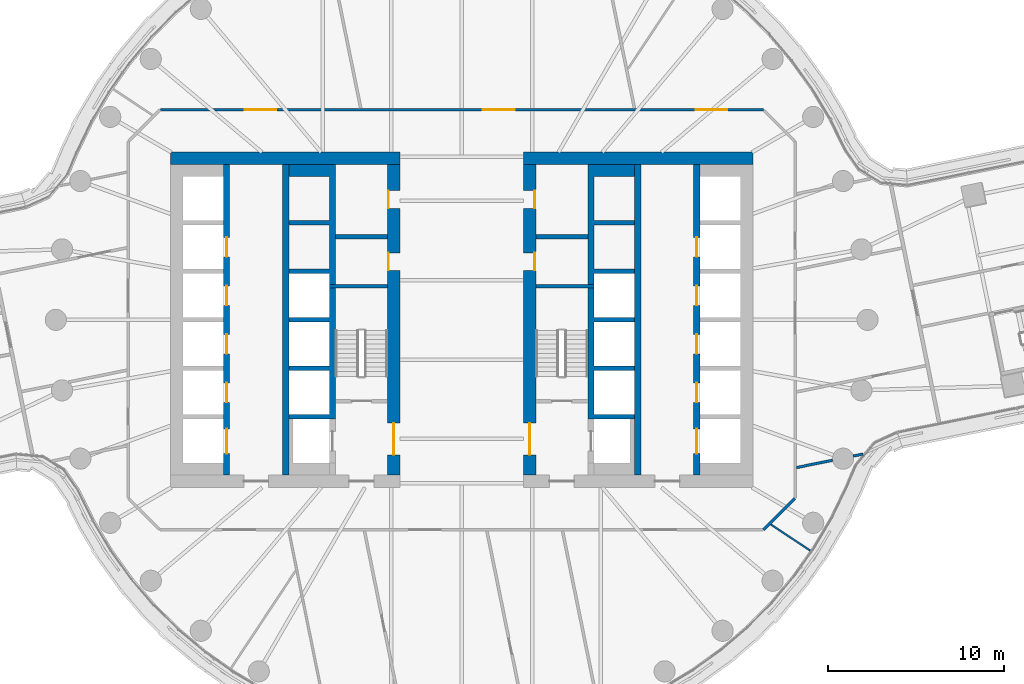
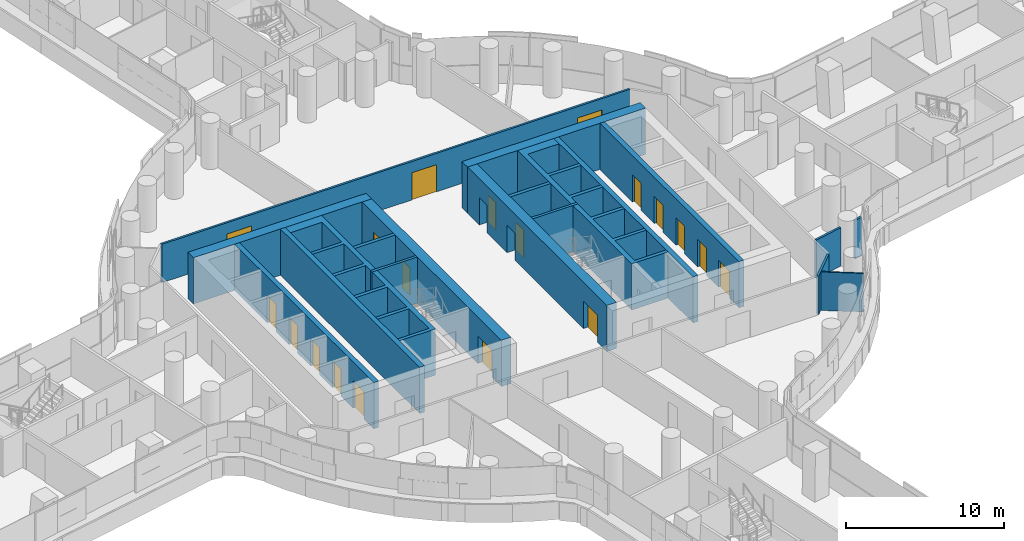
# One storey, part 20 of 31: 19 doors, 19 walls, 19 openings.
"""IFC4 building model written with IfcOpenShell, lengths in metres."""

from ifc_helpers import new_model, si_unit, direction, frame, frame_2d, origin, place, context, subcontext, project, spatial, polyline, rectangle, outline, extrude, material, layer, layer_set, type_object, element, fill, save


model = new_model("IFC4")

# Units and contexts
model_context = context("Model", 3, precision=1e-05, world=origin(), true_north=direction((0.0, 1.0)))
body_context = subcontext(model_context, "Body", "Model", "MODEL_VIEW")
ifc_project = project(units=[si_unit("LENGTHUNIT", "METRE"), si_unit("AREAUNIT", "SQUARE_METRE"), si_unit("VOLUMEUNIT", "CUBIC_METRE"), si_unit("PLANEANGLEUNIT", "RADIAN"), si_unit("MASSUNIT", "GRAM", prefix="KILO")], contexts=[model_context])

# Site, building, storey
site_placement = place(None, origin())
site = spatial("IfcSite", under=ifc_project, at=site_placement, CompositionType="ELEMENT")
building_placement = place(site_placement, origin())
building = spatial("IfcBuilding", under=site, at=building_placement, Name="Tamarind Cross Interchange Tower", CompositionType="ELEMENT")
storey_placement = place(building_placement, frame((0.0, 0.0, 75.25)))
storey = spatial("IfcBuildingStorey", under=building, at=storey_placement, Name="L17", CompositionType="ELEMENT", Elevation=75.25)

# Wall
ifc_material_1 = material(Name="Concrete C80", Category="concrete")
ifc_layer_1 = layer(ifc_material_1, 0.699951171875)
ifc_layer_set_1 = layer_set([ifc_layer_1], Name="Concrete C80")
wall_type_1 = type_object("IfcWallType", Name="Core wall 700 mm Concrete C80", PredefinedType="SHEAR", material=ifc_layer_set_1)
wall_1_placement = place(storey_placement, frame((-16.5, 9.14990234375, 0.0), z_axis=(0.0, 0.0, 1.0), x_axis=(1.0, 0.0, 0.0)))
element("IfcWall", 1, at=wall_1_placement, inside=storey, type_object=wall_type_1, Name="Core wall CWL-L17-W-NE", PredefinedType="SHEAR", context=body_context, shape_type="SweptSolid", body=[
    extrude(rectangle(XDim=13.0, YDim=0.699951171875, at=frame_2d((6.5, 0.0))), origin(), (0.0, 0.0, 1.0), 3.570068359375),
])

# Wall, openings, doors
wall_2_placement = place(storey_placement, frame((-3.85009765625, -8.800048828125, 0.0), z_axis=(0.0, 0.0, 1.0), x_axis=(0.0, 1.0, 0.0)))
wall_2 = element("IfcWall", 2, at=wall_2_placement, inside=storey, type_object=wall_type_1, Name="Core wall CWL-L17-W-IN", PredefinedType="SHEAR", context=body_context, shape_type="SweptSolid", body=[
    extrude(rectangle(XDim=17.60009765625, YDim=0.699951171875, at=frame_2d((8.800048828125, 0.0))), origin(), (0.0, 0.0, 1.0), 3.570068359375),
])
opening_1_placement = place(wall_2_placement, frame((1.14990234375, 0.0, 0.0)))
opening_1 = element("IfcOpeningElement", 3, at=opening_1_placement, cuts=wall_2, Name="Opening DCW4", PredefinedType="OPENING", context=body_context, shape_type="SweptSolid", body=[
    extrude(rectangle(XDim=1.800048828125, YDim=2.10009765625, at=frame_2d((0.89990234375, 1.050048828125))), frame((0.0, 0.35986328125, 0.0), z_axis=(0.0, -1.0, 0.0), x_axis=(1.0, 0.0, 0.0)), (0.0, 0.0, 1.0), 0.719970703125),
])
opening_2_placement = place(wall_2_placement, frame((11.597412109375, 0.0, 0.0)))
opening_2 = element("IfcOpeningElement", 4, at=opening_2_placement, cuts=wall_2, Name="Opening DCW5", PredefinedType="OPENING", context=body_context, shape_type="SweptSolid", body=[
    extrude(rectangle(XDim=1.0, YDim=2.10009765625, at=frame_2d((0.5, 1.050048828125))), frame((0.0, 0.35986328125, 0.0), z_axis=(0.0, -1.0, 0.0), x_axis=(1.0, 0.0, 0.0)), (0.0, 0.0, 1.0), 0.719970703125),
])
opening_3_placement = place(wall_2_placement, frame((15.12255859375, 0.0, 0.0)))
opening_3 = element("IfcOpeningElement", 5, at=opening_3_placement, cuts=wall_2, Name="Opening DCW5", PredefinedType="OPENING", context=body_context, shape_type="SweptSolid", body=[
    extrude(rectangle(XDim=1.0, YDim=2.10009765625, at=frame_2d((0.5, 1.050048828125))), frame((0.0, 0.35986328125, 0.0), z_axis=(0.0, -1.0, 0.0), x_axis=(1.0, 0.0, 0.0)), (0.0, 0.0, 1.0), 0.719970703125),
])
ifc_material_2 = material(Name="Steel, fire-resisting", Category="steel")
door_type_1 = type_object("IfcDoorType", Name="Core fire door 1000 x 2100 FD90", OperationType="SINGLE_SWING_LEFT", PredefinedType="DOOR", material=ifc_material_2)
door_1_placement = place(opening_2_placement, origin())
door_1 = element("IfcDoor", 6, at=door_1_placement, inside=storey, type_object=door_type_1, Name="L17 comms room door", OperationType="SINGLE_SWING_LEFT", OverallHeight=2.10009765625, OverallWidth=1.0, PredefinedType="DOOR", context=body_context, shape_type="SweptSolid", body=[
    extrude(rectangle(XDim=1.0, YDim=2.10009765625, at=frame_2d((0.5, 1.050048828125))), frame((0.0, 0.3251953125, 0.0), z_axis=(0.0, -1.0, 0.0), x_axis=(1.0, 0.0, 0.0)), (0.0, 0.0, 1.0), 0.050048828125),
])
fill(opening_2, door_1)
door_2_placement = place(opening_3_placement, origin())
door_2 = element("IfcDoor", 7, at=door_2_placement, inside=storey, type_object=door_type_1, Name="L17 cleaner's store door", OperationType="SINGLE_SWING_LEFT", OverallHeight=2.10009765625, OverallWidth=1.0, PredefinedType="DOOR", context=body_context, shape_type="SweptSolid", body=[
    extrude(rectangle(XDim=1.0, YDim=2.10009765625, at=frame_2d((0.5, 1.050048828125))), frame((0.0, 0.3251953125, 0.0), z_axis=(0.0, -1.0, 0.0), x_axis=(1.0, 0.0, 0.0)), (0.0, 0.0, 1.0), 0.050048828125),
])
fill(opening_3, door_2)
door_type_2 = type_object("IfcDoorType", Name="Core fire door 1800 x 2100 FD90", OperationType="SINGLE_SWING_LEFT", PredefinedType="DOOR", material=ifc_material_2)
door_3_placement = place(opening_1_placement, origin())
door_3 = element("IfcDoor", 8, at=door_3_placement, inside=storey, type_object=door_type_2, Name="L17 firefighting lobby door", OperationType="SINGLE_SWING_LEFT", OverallHeight=2.10009765625, OverallWidth=1.800048828125, PredefinedType="DOOR", context=body_context, shape_type="SweptSolid", body=[
    extrude(rectangle(XDim=1.800048828125, YDim=2.10009765625, at=frame_2d((0.89990234375, 1.050048828125))), frame((0.0, 0.02490234375, 0.0), z_axis=(0.0, -1.0, 0.0), x_axis=(1.0, 0.0, 0.0)), (0.0, 0.0, 1.0), 0.050048828125),
])
fill(opening_1, door_3)

# Wall
wall_3_placement = place(storey_placement, frame((16.5, 9.14990234375, 0.0), z_axis=(0.0, 0.0, 1.0), x_axis=(-1.0, 0.0, 0.0)))
element("IfcWall", 9, at=wall_3_placement, inside=storey, type_object=wall_type_1, Name="Core wall CWL-L17-E-NE", PredefinedType="SHEAR", context=body_context, shape_type="SweptSolid", body=[
    extrude(rectangle(XDim=13.0, YDim=0.699951171875, at=frame_2d((6.5, 0.0))), origin(), (0.0, 0.0, 1.0), 3.570068359375),
])

# Wall, openings, doors
wall_4_placement = place(storey_placement, frame((3.85009765625, -8.800048828125, 0.0), z_axis=(0.0, 0.0, 1.0), x_axis=(0.0, 1.0, 0.0)))
wall_4 = element("IfcWall", 10, at=wall_4_placement, inside=storey, type_object=wall_type_1, Name="Core wall CWL-L17-E-IN", PredefinedType="SHEAR", context=body_context, shape_type="SweptSolid", body=[
    extrude(rectangle(XDim=17.60009765625, YDim=0.699951171875, at=frame_2d((8.800048828125, 0.0))), origin(), (0.0, 0.0, 1.0), 3.570068359375),
])
opening_4_placement = place(wall_4_placement, frame((1.14990234375, 0.0, 0.0)))
opening_4 = element("IfcOpeningElement", 11, at=opening_4_placement, cuts=wall_4, Name="Opening DCE4", PredefinedType="OPENING", context=body_context, shape_type="SweptSolid", body=[
    extrude(rectangle(XDim=1.800048828125, YDim=2.10009765625, at=frame_2d((0.89990234375, 1.050048828125))), frame((0.0, 0.35986328125, 0.0), z_axis=(0.0, -1.0, 0.0), x_axis=(1.0, 0.0, 0.0)), (0.0, 0.0, 1.0), 0.719970703125),
])
opening_5_placement = place(wall_4_placement, frame((11.597412109375, 0.0, 0.0)))
opening_5 = element("IfcOpeningElement", 12, at=opening_5_placement, cuts=wall_4, Name="Opening DCE5", PredefinedType="OPENING", context=body_context, shape_type="SweptSolid", body=[
    extrude(rectangle(XDim=1.0, YDim=2.10009765625, at=frame_2d((0.5, 1.050048828125))), frame((0.0, 0.35986328125, 0.0), z_axis=(0.0, -1.0, 0.0), x_axis=(1.0, 0.0, 0.0)), (0.0, 0.0, 1.0), 0.719970703125),
])
opening_6_placement = place(wall_4_placement, frame((15.12255859375, 0.0, 0.0)))
opening_6 = element("IfcOpeningElement", 13, at=opening_6_placement, cuts=wall_4, Name="Opening DCE5", PredefinedType="OPENING", context=body_context, shape_type="SweptSolid", body=[
    extrude(rectangle(XDim=1.0, YDim=2.10009765625, at=frame_2d((0.5, 1.050048828125))), frame((0.0, 0.35986328125, 0.0), z_axis=(0.0, -1.0, 0.0), x_axis=(1.0, 0.0, 0.0)), (0.0, 0.0, 1.0), 0.719970703125),
])
door_4_placement = place(opening_5_placement, origin())
door_4 = element("IfcDoor", 14, at=door_4_placement, inside=storey, type_object=door_type_1, Name="L17 comms room door", OperationType="SINGLE_SWING_LEFT", OverallHeight=2.10009765625, OverallWidth=1.0, PredefinedType="DOOR", context=body_context, shape_type="SweptSolid", body=[
    extrude(rectangle(XDim=1.0, YDim=2.10009765625, at=frame_2d((0.5, 1.050048828125))), frame((0.0, -0.27490234375, 0.0), z_axis=(0.0, -1.0, 0.0), x_axis=(1.0, 0.0, 0.0)), (0.0, 0.0, 1.0), 0.050048828125),
])
fill(opening_5, door_4)
door_5_placement = place(opening_6_placement, origin())
door_5 = element("IfcDoor", 15, at=door_5_placement, inside=storey, type_object=door_type_1, Name="L17 cleaner's store door", OperationType="SINGLE_SWING_LEFT", OverallHeight=2.10009765625, OverallWidth=1.0, PredefinedType="DOOR", context=body_context, shape_type="SweptSolid", body=[
    extrude(rectangle(XDim=1.0, YDim=2.10009765625, at=frame_2d((0.5, 1.050048828125))), frame((0.0, -0.27490234375, 0.0), z_axis=(0.0, -1.0, 0.0), x_axis=(1.0, 0.0, 0.0)), (0.0, 0.0, 1.0), 0.050048828125),
])
fill(opening_6, door_5)
door_6_placement = place(opening_4_placement, origin())
door_6 = element("IfcDoor", 16, at=door_6_placement, inside=storey, type_object=door_type_2, Name="L17 firefighting lobby door", OperationType="SINGLE_SWING_LEFT", OverallHeight=2.10009765625, OverallWidth=1.800048828125, PredefinedType="DOOR", context=body_context, shape_type="SweptSolid", body=[
    extrude(rectangle(XDim=1.800048828125, YDim=2.10009765625, at=frame_2d((0.89990234375, 1.050048828125))), frame((0.0, 0.02490234375, 0.0), z_axis=(0.0, -1.0, 0.0), x_axis=(1.0, 0.0, 0.0)), (0.0, 0.0, 1.0), 0.050048828125),
])
fill(opening_4, door_6)

# Walls
ifc_layer_2 = layer(ifc_material_1, 0.199951171875)
ifc_layer_set_2 = layer_set([ifc_layer_2], Name="Concrete C80")
wall_type_2 = type_object("IfcWallType", Name="Core web wall 200 mm Concrete C80", PredefinedType="SHEAR", material=ifc_layer_set_2)
for number, where, z_axis, x_axis, name in (
    (17, (-7.5, 1.89990234375, 0.0), (0.0, 0.0, 1.0), (1.0, 0.0, 0.0), "Core wall CWL-L17-W-BD"),
    (18, (7.5, 1.89990234375, 0.0), (0.0, 0.0, 1.0), (-1.0, 0.0, 0.0), "Core wall CWL-L17-E-BD"),
):
    element("IfcWall", number, at=place(storey_placement, frame(where, z_axis=z_axis, x_axis=x_axis)), inside=storey, type_object=wall_type_2, Name=name, PredefinedType="SHEAR", context=body_context, shape_type="SweptSolid", body=[
        extrude(rectangle(XDim=3.300048828125, YDim=0.199951171875, at=frame_2d((1.64990234375, 0.0))), origin(), (0.0, 0.0, 1.0), 3.570068359375),
    ])
ifc_layer_3 = layer(ifc_material_1, 0.35009765625)
ifc_layer_set_3 = layer_set([ifc_layer_3], Name="Concrete C80")
wall_type_3 = type_object("IfcWallType", Name="Core web wall 350 mm Concrete C80", PredefinedType="SHEAR", material=ifc_layer_set_3)
wall_5_placement = place(storey_placement, origin())
element("IfcWall", 19, at=wall_5_placement, inside=storey, type_object=wall_type_3, Name="Core wall CWL-L17-W-BN", PredefinedType="SHEAR", context=body_context, shape_type="SweptSolid", body=[
    extrude(outline(polyline([(-9.800048828125, -5.375), (-9.800048828125, -5.625), (-7.5, -5.625), (-7.14990234375, -5.625), (-7.14990234375, 8.800048828125), (-7.5, 8.800048828125), (-9.800048828125, 8.800048828125), (-9.800048828125, 8.125), (-7.5, 8.125), (-7.5, 5.625), (-9.800048828125, 5.625), (-9.800048828125, 5.375), (-7.5, 5.375), (-7.5, 2.875), (-9.800048828125, 2.875), (-9.800048828125, 2.625), (-7.5, 2.625), (-7.5, 0.125), (-9.800048828125, 0.125), (-9.800048828125, -0.125), (-7.5, -0.125), (-7.5, -2.625), (-9.800048828125, -2.625), (-9.800048828125, -2.875), (-7.5, -2.875), (-7.5, -5.375), (-9.800048828125, -5.375)])), origin(), (0.0, 0.0, 1.0), 3.570068359375),
])

# Wall, openings, doors
wall_6_placement = place(storey_placement, frame((-13.324951171875, -8.800048828125, 0.0), z_axis=(0.0, 0.0, 1.0), x_axis=(0.0, 1.0, 0.0)))
wall_6 = element("IfcWall", 20, at=wall_6_placement, inside=storey, type_object=wall_type_3, Name="Core wall CWL-L17-W-LA", PredefinedType="SHEAR", context=body_context, shape_type="SweptSolid", body=[
    extrude(rectangle(XDim=17.60009765625, YDim=0.35009765625, at=frame_2d((8.800048828125, 0.0))), origin(), (0.0, 0.0, 1.0), 3.570068359375),
])
opening_7_placement = place(wall_6_placement, frame((1.22509765625, 0.0, 0.0)))
opening_7 = element("IfcOpeningElement", 21, at=opening_7_placement, cuts=wall_6, Name="Opening LD1L17", PredefinedType="OPENING", context=body_context, shape_type="SweptSolid", body=[
    extrude(rectangle(XDim=1.39990234375, YDim=2.10009765625, at=frame_2d((0.699951171875, 1.050048828125))), frame((0.0, 0.18505859375, 0.0), z_axis=(0.0, -1.0, 0.0), x_axis=(1.0, 0.0, 0.0)), (0.0, 0.0, 1.0), 0.3701171875),
])
opening_8_placement = place(wall_6_placement, frame((4.125, 0.0, 0.0)))
opening_8 = element("IfcOpeningElement", 22, at=opening_8_placement, cuts=wall_6, Name="Opening LD2L17", PredefinedType="OPENING", context=body_context, shape_type="SweptSolid", body=[
    extrude(rectangle(XDim=1.10009765625, YDim=2.10009765625, at=frame_2d((0.550048828125, 1.050048828125))), frame((0.0, 0.18505859375, 0.0), z_axis=(0.0, -1.0, 0.0), x_axis=(1.0, 0.0, 0.0)), (0.0, 0.0, 1.0), 0.3701171875),
])
opening_9_placement = place(wall_6_placement, frame((6.875, 0.0, 0.0)))
opening_9 = element("IfcOpeningElement", 23, at=opening_9_placement, cuts=wall_6, Name="Opening LD3L17", PredefinedType="OPENING", context=body_context, shape_type="SweptSolid", body=[
    extrude(rectangle(XDim=1.10009765625, YDim=2.10009765625, at=frame_2d((0.550048828125, 1.050048828125))), frame((0.0, 0.18505859375, 0.0), z_axis=(0.0, -1.0, 0.0), x_axis=(1.0, 0.0, 0.0)), (0.0, 0.0, 1.0), 0.3701171875),
])
opening_10_placement = place(wall_6_placement, frame((9.625, 0.0, 0.0)))
opening_10 = element("IfcOpeningElement", 24, at=opening_10_placement, cuts=wall_6, Name="Opening LD4L17", PredefinedType="OPENING", context=body_context, shape_type="SweptSolid", body=[
    extrude(rectangle(XDim=1.10009765625, YDim=2.10009765625, at=frame_2d((0.550048828125, 1.050048828125))), frame((0.0, 0.18505859375, 0.0), z_axis=(0.0, -1.0, 0.0), x_axis=(1.0, 0.0, 0.0)), (0.0, 0.0, 1.0), 0.3701171875),
])
opening_11_placement = place(wall_6_placement, frame((12.375, 0.0, 0.0)))
opening_11 = element("IfcOpeningElement", 25, at=opening_11_placement, cuts=wall_6, Name="Opening LD5L17", PredefinedType="OPENING", context=body_context, shape_type="SweptSolid", body=[
    extrude(rectangle(XDim=1.10009765625, YDim=2.10009765625, at=frame_2d((0.550048828125, 1.050048828125))), frame((0.0, 0.18505859375, 0.0), z_axis=(0.0, -1.0, 0.0), x_axis=(1.0, 0.0, 0.0)), (0.0, 0.0, 1.0), 0.3701171875),
])
ifc_material_3 = material(Name="Stainless steel panel", Category="steel")
door_type_3 = type_object("IfcDoorType", Name="Lift landing door 1100 x 2100 E 120", OperationType="SLIDING_TO_LEFT", PredefinedType="DOOR", material=ifc_material_3)
door_7_placement = place(opening_8_placement, origin())
door_7 = element("IfcDoor", 26, at=door_7_placement, inside=storey, type_object=door_type_3, Name="L17 landing door LF2", OperationType="SLIDING_TO_LEFT", OverallHeight=2.10009765625, OverallWidth=1.10009765625, PredefinedType="DOOR", context=body_context, shape_type="SweptSolid", body=[
    extrude(rectangle(XDim=1.10009765625, YDim=2.10009765625, at=frame_2d((0.550048828125, 1.050048828125))), frame((0.0, 0.02490234375, 0.0), z_axis=(0.0, -1.0, 0.0), x_axis=(1.0, 0.0, 0.0)), (0.0, 0.0, 1.0), 0.050048828125),
])
fill(opening_8, door_7)
door_8_placement = place(opening_9_placement, origin())
door_8 = element("IfcDoor", 27, at=door_8_placement, inside=storey, type_object=door_type_3, Name="L17 landing door LF3", OperationType="SLIDING_TO_LEFT", OverallHeight=2.10009765625, OverallWidth=1.10009765625, PredefinedType="DOOR", context=body_context, shape_type="SweptSolid", body=[
    extrude(rectangle(XDim=1.10009765625, YDim=2.10009765625, at=frame_2d((0.550048828125, 1.050048828125))), frame((0.0, 0.02490234375, 0.0), z_axis=(0.0, -1.0, 0.0), x_axis=(1.0, 0.0, 0.0)), (0.0, 0.0, 1.0), 0.050048828125),
])
fill(opening_9, door_8)
door_9_placement = place(opening_10_placement, origin())
door_9 = element("IfcDoor", 28, at=door_9_placement, inside=storey, type_object=door_type_3, Name="L17 landing door LF4", OperationType="SLIDING_TO_LEFT", OverallHeight=2.10009765625, OverallWidth=1.10009765625, PredefinedType="DOOR", context=body_context, shape_type="SweptSolid", body=[
    extrude(rectangle(XDim=1.10009765625, YDim=2.10009765625, at=frame_2d((0.550048828125, 1.050048828125))), frame((0.0, 0.02490234375, 0.0), z_axis=(0.0, -1.0, 0.0), x_axis=(1.0, 0.0, 0.0)), (0.0, 0.0, 1.0), 0.050048828125),
])
fill(opening_10, door_9)
door_10_placement = place(opening_11_placement, origin())
door_10 = element("IfcDoor", 29, at=door_10_placement, inside=storey, type_object=door_type_3, Name="L17 landing door LF5", OperationType="SLIDING_TO_LEFT", OverallHeight=2.10009765625, OverallWidth=1.10009765625, PredefinedType="DOOR", context=body_context, shape_type="SweptSolid", body=[
    extrude(rectangle(XDim=1.10009765625, YDim=2.10009765625, at=frame_2d((0.550048828125, 1.050048828125))), frame((0.0, 0.02490234375, 0.0), z_axis=(0.0, -1.0, 0.0), x_axis=(1.0, 0.0, 0.0)), (0.0, 0.0, 1.0), 0.050048828125),
])
fill(opening_11, door_10)
door_type_4 = type_object("IfcDoorType", Name="Lift landing door 1400 x 2100 E 120", OperationType="SLIDING_TO_LEFT", PredefinedType="DOOR", material=ifc_material_3)
door_11_placement = place(opening_7_placement, origin())
door_11 = element("IfcDoor", 30, at=door_11_placement, inside=storey, type_object=door_type_4, Name="L17 landing door LF1", OperationType="SLIDING_TO_LEFT", OverallHeight=2.10009765625, OverallWidth=1.39990234375, PredefinedType="DOOR", context=body_context, shape_type="SweptSolid", body=[
    extrude(rectangle(XDim=1.39990234375, YDim=2.10009765625, at=frame_2d((0.699951171875, 1.050048828125))), frame((0.0, 0.02490234375, 0.0), z_axis=(0.0, -1.0, 0.0), x_axis=(1.0, 0.0, 0.0)), (0.0, 0.0, 1.0), 0.050048828125),
])
fill(opening_7, door_11)

# Walls
wall_7_placement = place(storey_placement, frame((-9.97509765625, -8.800048828125, 0.0), z_axis=(0.0, 0.0, 1.0), x_axis=(0.0, 1.0, 0.0)))
element("IfcWall", 31, at=wall_7_placement, inside=storey, type_object=wall_type_3, Name="Core wall CWL-L17-W-LB", PredefinedType="SHEAR", context=body_context, shape_type="SweptSolid", body=[
    extrude(rectangle(XDim=17.60009765625, YDim=0.35009765625, at=frame_2d((8.800048828125, 0.0))), origin(), (0.0, 0.0, 1.0), 3.570068359375),
])
wall_8_placement = place(storey_placement, origin())
element("IfcWall", 32, at=wall_8_placement, inside=storey, type_object=wall_type_3, Name="Core wall CWL-L17-E-BN", PredefinedType="SHEAR", context=body_context, shape_type="SweptSolid", body=[
    extrude(outline(polyline([(9.800048828125, -5.375), (7.5, -5.375), (7.5, -2.875), (9.800048828125, -2.875), (9.800048828125, -2.625), (7.5, -2.625), (7.5, -0.125), (9.800048828125, -0.125), (9.800048828125, 0.125), (7.5, 0.125), (7.5, 2.625), (9.800048828125, 2.625), (9.800048828125, 2.875), (7.5, 2.875), (7.5, 5.375), (9.800048828125, 5.375), (9.800048828125, 5.625), (7.5, 5.625), (7.5, 8.125), (9.800048828125, 8.125), (9.800048828125, 8.800048828125), (7.5, 8.800048828125), (7.14990234375, 8.800048828125), (7.14990234375, -5.625), (7.5, -5.625), (9.800048828125, -5.625), (9.800048828125, -5.375)])), origin(), (0.0, 0.0, 1.0), 3.570068359375),
])

# Wall, openings, doors
wall_9_placement = place(storey_placement, frame((13.324951171875, -8.800048828125, 0.0), z_axis=(0.0, 0.0, 1.0), x_axis=(0.0, 1.0, 0.0)))
wall_9 = element("IfcWall", 33, at=wall_9_placement, inside=storey, type_object=wall_type_3, Name="Core wall CWL-L17-E-LA", PredefinedType="SHEAR", context=body_context, shape_type="SweptSolid", body=[
    extrude(rectangle(XDim=17.60009765625, YDim=0.35009765625, at=frame_2d((8.800048828125, 0.0))), origin(), (0.0, 0.0, 1.0), 3.570068359375),
])
opening_12_placement = place(wall_9_placement, frame((1.22509765625, 0.0, 0.0)))
opening_12 = element("IfcOpeningElement", 34, at=opening_12_placement, cuts=wall_9, Name="Opening LD13L17", PredefinedType="OPENING", context=body_context, shape_type="SweptSolid", body=[
    extrude(rectangle(XDim=1.39990234375, YDim=2.10009765625, at=frame_2d((0.699951171875, 1.050048828125))), frame((0.0, 0.18505859375, 0.0), z_axis=(0.0, -1.0, 0.0), x_axis=(1.0, 0.0, 0.0)), (0.0, 0.0, 1.0), 0.3701171875),
])
opening_13_placement = place(wall_9_placement, frame((4.125, 0.0, 0.0)))
opening_13 = element("IfcOpeningElement", 35, at=opening_13_placement, cuts=wall_9, Name="Opening LD14L17", PredefinedType="OPENING", context=body_context, shape_type="SweptSolid", body=[
    extrude(rectangle(XDim=1.10009765625, YDim=2.10009765625, at=frame_2d((0.550048828125, 1.050048828125))), frame((0.0, 0.18505859375, 0.0), z_axis=(0.0, -1.0, 0.0), x_axis=(1.0, 0.0, 0.0)), (0.0, 0.0, 1.0), 0.3701171875),
])
opening_14_placement = place(wall_9_placement, frame((6.875, 0.0, 0.0)))
opening_14 = element("IfcOpeningElement", 36, at=opening_14_placement, cuts=wall_9, Name="Opening LD15L17", PredefinedType="OPENING", context=body_context, shape_type="SweptSolid", body=[
    extrude(rectangle(XDim=1.10009765625, YDim=2.10009765625, at=frame_2d((0.550048828125, 1.050048828125))), frame((0.0, 0.18505859375, 0.0), z_axis=(0.0, -1.0, 0.0), x_axis=(1.0, 0.0, 0.0)), (0.0, 0.0, 1.0), 0.3701171875),
])
opening_15_placement = place(wall_9_placement, frame((9.625, 0.0, 0.0)))
opening_15 = element("IfcOpeningElement", 37, at=opening_15_placement, cuts=wall_9, Name="Opening LD16L17", PredefinedType="OPENING", context=body_context, shape_type="SweptSolid", body=[
    extrude(rectangle(XDim=1.10009765625, YDim=2.10009765625, at=frame_2d((0.550048828125, 1.050048828125))), frame((0.0, 0.18505859375, 0.0), z_axis=(0.0, -1.0, 0.0), x_axis=(1.0, 0.0, 0.0)), (0.0, 0.0, 1.0), 0.3701171875),
])
opening_16_placement = place(wall_9_placement, frame((12.375, 0.0, 0.0)))
opening_16 = element("IfcOpeningElement", 38, at=opening_16_placement, cuts=wall_9, Name="Opening LD17L17", PredefinedType="OPENING", context=body_context, shape_type="SweptSolid", body=[
    extrude(rectangle(XDim=1.10009765625, YDim=2.10009765625, at=frame_2d((0.550048828125, 1.050048828125))), frame((0.0, 0.18505859375, 0.0), z_axis=(0.0, -1.0, 0.0), x_axis=(1.0, 0.0, 0.0)), (0.0, 0.0, 1.0), 0.3701171875),
])
door_12_placement = place(opening_13_placement, origin())
door_12 = element("IfcDoor", 39, at=door_12_placement, inside=storey, type_object=door_type_3, Name="L17 landing door LF14", OperationType="SLIDING_TO_LEFT", OverallHeight=2.10009765625, OverallWidth=1.10009765625, PredefinedType="DOOR", context=body_context, shape_type="SweptSolid", body=[
    extrude(rectangle(XDim=1.10009765625, YDim=2.10009765625, at=frame_2d((0.550048828125, 1.050048828125))), frame((0.0, 0.02490234375, 0.0), z_axis=(0.0, -1.0, 0.0), x_axis=(1.0, 0.0, 0.0)), (0.0, 0.0, 1.0), 0.050048828125),
])
fill(opening_13, door_12)
door_13_placement = place(opening_14_placement, origin())
door_13 = element("IfcDoor", 40, at=door_13_placement, inside=storey, type_object=door_type_3, Name="L17 landing door LF15", OperationType="SLIDING_TO_LEFT", OverallHeight=2.10009765625, OverallWidth=1.10009765625, PredefinedType="DOOR", context=body_context, shape_type="SweptSolid", body=[
    extrude(rectangle(XDim=1.10009765625, YDim=2.10009765625, at=frame_2d((0.550048828125, 1.050048828125))), frame((0.0, 0.02490234375, 0.0), z_axis=(0.0, -1.0, 0.0), x_axis=(1.0, 0.0, 0.0)), (0.0, 0.0, 1.0), 0.050048828125),
])
fill(opening_14, door_13)
door_14_placement = place(opening_15_placement, origin())
door_14 = element("IfcDoor", 41, at=door_14_placement, inside=storey, type_object=door_type_3, Name="L17 landing door LF16", OperationType="SLIDING_TO_LEFT", OverallHeight=2.10009765625, OverallWidth=1.10009765625, PredefinedType="DOOR", context=body_context, shape_type="SweptSolid", body=[
    extrude(rectangle(XDim=1.10009765625, YDim=2.10009765625, at=frame_2d((0.550048828125, 1.050048828125))), frame((0.0, 0.02490234375, 0.0), z_axis=(0.0, -1.0, 0.0), x_axis=(1.0, 0.0, 0.0)), (0.0, 0.0, 1.0), 0.050048828125),
])
fill(opening_15, door_14)
door_15_placement = place(opening_16_placement, origin())
door_15 = element("IfcDoor", 42, at=door_15_placement, inside=storey, type_object=door_type_3, Name="L17 landing door LF17", OperationType="SLIDING_TO_LEFT", OverallHeight=2.10009765625, OverallWidth=1.10009765625, PredefinedType="DOOR", context=body_context, shape_type="SweptSolid", body=[
    extrude(rectangle(XDim=1.10009765625, YDim=2.10009765625, at=frame_2d((0.550048828125, 1.050048828125))), frame((0.0, 0.02490234375, 0.0), z_axis=(0.0, -1.0, 0.0), x_axis=(1.0, 0.0, 0.0)), (0.0, 0.0, 1.0), 0.050048828125),
])
fill(opening_16, door_15)
door_16_placement = place(opening_12_placement, origin())
door_16 = element("IfcDoor", 43, at=door_16_placement, inside=storey, type_object=door_type_4, Name="L17 landing door LF13", OperationType="SLIDING_TO_LEFT", OverallHeight=2.10009765625, OverallWidth=1.39990234375, PredefinedType="DOOR", context=body_context, shape_type="SweptSolid", body=[
    extrude(rectangle(XDim=1.39990234375, YDim=2.10009765625, at=frame_2d((0.699951171875, 1.050048828125))), frame((0.0, 0.02490234375, 0.0), z_axis=(0.0, -1.0, 0.0), x_axis=(1.0, 0.0, 0.0)), (0.0, 0.0, 1.0), 0.050048828125),
])
fill(opening_12, door_16)

# Walls
wall_10_placement = place(storey_placement, frame((9.97509765625, -8.800048828125, 0.0), z_axis=(0.0, 0.0, 1.0), x_axis=(0.0, 1.0, 0.0)))
element("IfcWall", 44, at=wall_10_placement, inside=storey, type_object=wall_type_3, Name="Core wall CWL-L17-E-LB", PredefinedType="SHEAR", context=body_context, shape_type="SweptSolid", body=[
    extrude(rectangle(XDim=17.60009765625, YDim=0.35009765625, at=frame_2d((8.800048828125, 0.0))), origin(), (0.0, 0.0, 1.0), 3.570068359375),
])
ifc_material_4 = material(Name="Gypsum board partition on steel studs", Category="steel")
ifc_layer_4 = layer(ifc_material_4, 0.10009765625)
ifc_layer_set_4 = layer_set([ifc_layer_4], Name="Gypsum board partition on steel studs")
wall_type_4 = type_object("IfcWallType", Name="Partition 100 mm EI 90", PredefinedType="PARTITIONING", material=ifc_layer_set_4)
wall_11_placement = place(storey_placement, frame((17.519775390625, -11.59765625, 0.0), z_axis=(0.0, 0.0, 1.0), x_axis=(0.833801234366, -0.552064762115, 0.0)))
element("IfcWall", 45, at=wall_11_placement, inside=storey, type_object=wall_type_4, Name="Partition L17-030", PredefinedType="PARTITIONING", context=body_context, shape_type="SweptSolid", body=[
    extrude(rectangle(XDim=2.675048828125, YDim=0.10009765625, at=frame_2d((1.33740234375, 0.0))), origin(), (0.0, 0.0, 1.0), 2.969970703125),
])

# Wall, openings, doors
ifc_layer_5 = layer(ifc_material_4, 0.14990234375)
ifc_layer_set_5 = layer_set([ifc_layer_5], Name="Gypsum board partition on steel studs")
wall_type_5 = type_object("IfcWallType", Name="Partition 150 mm EI 120", PredefinedType="PARTITIONING", material=ifc_layer_set_5)
wall_12_placement = place(storey_placement, frame((-17.06494140625, 11.89990234375, 0.0), z_axis=(0.0, 0.0, 1.0), x_axis=(1.0, 0.0, 0.0)))
wall_12 = element("IfcWall", 46, at=wall_12_placement, inside=storey, type_object=wall_type_5, Name="Partition L17-032", PredefinedType="PARTITIONING", context=body_context, shape_type="SweptSolid", body=[
    extrude(rectangle(XDim=34.1650390625, YDim=0.14990234375, at=frame_2d((17.08251953125, 0.0))), origin(), (0.0, 0.0, 1.0), 2.969970703125),
])
opening_17_placement = place(wall_12_placement, frame((18.262939453125, 0.0, 0.0)))
opening_17 = element("IfcOpeningElement", 47, at=opening_17_placement, cuts=wall_12, Name="Opening D19", PredefinedType="OPENING", context=body_context, shape_type="SweptSolid", body=[
    extrude(rectangle(XDim=1.800048828125, YDim=2.10009765625, at=frame_2d((0.89990234375, 1.050048828125))), frame((0.0, 0.0849609375, 0.0), z_axis=(0.0, -1.0, 0.0), x_axis=(1.0, 0.0, 0.0)), (0.0, 0.0, 1.0), 0.169921875),
])
opening_18_placement = place(wall_12_placement, frame((30.323974609375, 0.0, 0.0)))
opening_18 = element("IfcOpeningElement", 48, at=opening_18_placement, cuts=wall_12, Name="Opening D20", PredefinedType="OPENING", context=body_context, shape_type="SweptSolid", body=[
    extrude(rectangle(XDim=1.800048828125, YDim=2.10009765625, at=frame_2d((0.89990234375, 1.050048828125))), frame((0.0, 0.0849609375, 0.0), z_axis=(0.0, -1.0, 0.0), x_axis=(1.0, 0.0, 0.0)), (0.0, 0.0, 1.0), 0.169921875),
])
opening_19_placement = place(wall_12_placement, frame((4.764892578125, 0.0, 0.0)))
opening_19 = element("IfcOpeningElement", 49, at=opening_19_placement, cuts=wall_12, Name="Opening D21", PredefinedType="OPENING", context=body_context, shape_type="SweptSolid", body=[
    extrude(rectangle(XDim=1.800048828125, YDim=2.10009765625, at=frame_2d((0.89990234375, 1.050048828125))), frame((0.0, 0.0849609375, 0.0), z_axis=(0.0, -1.0, 0.0), x_axis=(1.0, 0.0, 0.0)), (0.0, 0.0, 1.0), 0.169921875),
])
ifc_material_5 = material(Name="Fire-resisting door set")
door_type_5 = type_object("IfcDoorType", Name="Interior door 1800 x 2100 FD60S", OperationType="DOUBLE_DOOR_SINGLE_SWING", PredefinedType="DOOR", material=ifc_material_5)
door_17_placement = place(opening_17_placement, frame((1.800048828125, 0.0, 0.0), z_axis=(0.0, 0.0, 1.0), x_axis=(-1.0, 0.0, 0.0)))
door_17 = element("IfcDoor", 50, at=door_17_placement, inside=storey, type_object=door_type_5, Name="Door D19", OperationType="DOUBLE_DOOR_SINGLE_SWING", OverallHeight=2.10009765625, OverallWidth=1.800048828125, PredefinedType="DOOR", context=body_context, shape_type="SweptSolid", body=[
    extrude(rectangle(XDim=1.800048828125, YDim=2.10009765625, at=frame_2d((0.89990234375, 1.050048828125))), frame((0.0, 0.02490234375, 0.0), z_axis=(0.0, -1.0, 0.0), x_axis=(1.0, 0.0, 0.0)), (0.0, 0.0, 1.0), 0.050048828125),
])
fill(opening_17, door_17)
door_18_placement = place(opening_18_placement, origin())
door_18 = element("IfcDoor", 51, at=door_18_placement, inside=storey, type_object=door_type_5, Name="Door D20", OperationType="DOUBLE_DOOR_SINGLE_SWING", OverallHeight=2.10009765625, OverallWidth=1.800048828125, PredefinedType="DOOR", context=body_context, shape_type="SweptSolid", body=[
    extrude(rectangle(XDim=1.800048828125, YDim=2.10009765625, at=frame_2d((0.89990234375, 1.050048828125))), frame((0.0, 0.02490234375, 0.0), z_axis=(0.0, -1.0, 0.0), x_axis=(1.0, 0.0, 0.0)), (0.0, 0.0, 1.0), 0.050048828125),
])
fill(opening_18, door_18)
door_19_placement = place(opening_19_placement, origin())
door_19 = element("IfcDoor", 52, at=door_19_placement, inside=storey, type_object=door_type_5, Name="Door D21", OperationType="DOUBLE_DOOR_SINGLE_SWING", OverallHeight=2.10009765625, OverallWidth=1.800048828125, PredefinedType="DOOR", context=body_context, shape_type="SweptSolid", body=[
    extrude(rectangle(XDim=1.800048828125, YDim=2.10009765625, at=frame_2d((0.89990234375, 1.050048828125))), frame((0.0, 0.02490234375, 0.0), z_axis=(0.0, -1.0, 0.0), x_axis=(1.0, 0.0, 0.0)), (0.0, 0.0, 1.0), 0.050048828125),
])
fill(opening_19, door_19)

# Walls
wall_13_placement = place(storey_placement, frame((18.973388671875, -8.37109375, 0.0), z_axis=(0.0, 0.0, 1.0), x_axis=(0.979966356474, 0.199163099443, 0.0)))
element("IfcWall", 53, at=wall_13_placement, inside=storey, type_object=wall_type_5, Name="Partition L17-059", PredefinedType="PARTITIONING", context=body_context, shape_type="SweptSolid", body=[
    extrude(rectangle(XDim=2.094970703125, YDim=0.14990234375, at=frame_2d((1.04736328125, 0.0))), origin(), (0.0, 0.0, 1.0), 2.969970703125),
])
wall_14_placement = place(storey_placement, frame((22.183349609375, -7.718505859375, 0.0), z_axis=(0.0, 0.0, 1.0), x_axis=(0.980025828953, 0.1988702456, 0.0)))
element("IfcWall", 54, at=wall_14_placement, inside=storey, type_object=wall_type_5, Name="Partition L17-060", PredefinedType="PARTITIONING", context=body_context, shape_type="SweptSolid", body=[
    extrude(rectangle(XDim=0.579345703125, YDim=0.14990234375, at=frame_2d((0.28955078125, 0.0))), origin(), (0.0, 0.0, 1.0), 2.969970703125),
])
wall_15_placement = place(storey_placement, frame((17.10009765625, -11.89990234375, 0.0), z_axis=(0.0, 0.0, 1.0), x_axis=(0.707106781187, 0.707106781187, 0.0)))
element("IfcWall", 55, at=wall_15_placement, inside=storey, type_object=wall_type_5, Name="Partition L17-069", PredefinedType="PARTITIONING", context=body_context, shape_type="SweptSolid", body=[
    extrude(rectangle(XDim=2.50537109375, YDim=0.14990234375, at=frame_2d((1.252685546875, 0.0))), origin(), (0.0, 0.0, 1.0), 2.969970703125),
])
ifc_material_6 = material(Name="Concrete C40", Category="concrete")
ifc_layer_6 = layer(ifc_material_6, 0.25)
ifc_layer_set_6 = layer_set([ifc_layer_6], Name="Concrete C40")
wall_type_6 = type_object("IfcWallType", Name="Shaft and lobby wall 250 mm Concrete C40", PredefinedType="PARTITIONING", material=ifc_layer_set_6)
for number, where, z_axis, x_axis, name in (
    (56, (-7.14990234375, 4.719970703125, 0.0), (0.0, 0.0, 1.0), (1.0, 0.0, 0.0), "Shaft wall CWL-L17-W-SVP"),
    (57, (7.14990234375, 4.719970703125, 0.0), (0.0, 0.0, 1.0), (-1.0, 0.0, 0.0), "Shaft wall CWL-L17-E-SVP"),
):
    element("IfcWall", number, at=place(storey_placement, frame(where, z_axis=z_axis, x_axis=x_axis)), inside=storey, type_object=wall_type_6, Name=name, PredefinedType="PARTITIONING", context=body_context, shape_type="SweptSolid", body=[
        extrude(rectangle(XDim=2.949951171875, YDim=0.25, at=frame_2d((1.47509765625, 0.0))), origin(), (0.0, 0.0, 1.0), 3.570068359375),
    ])

save(model, "model.ifc")
